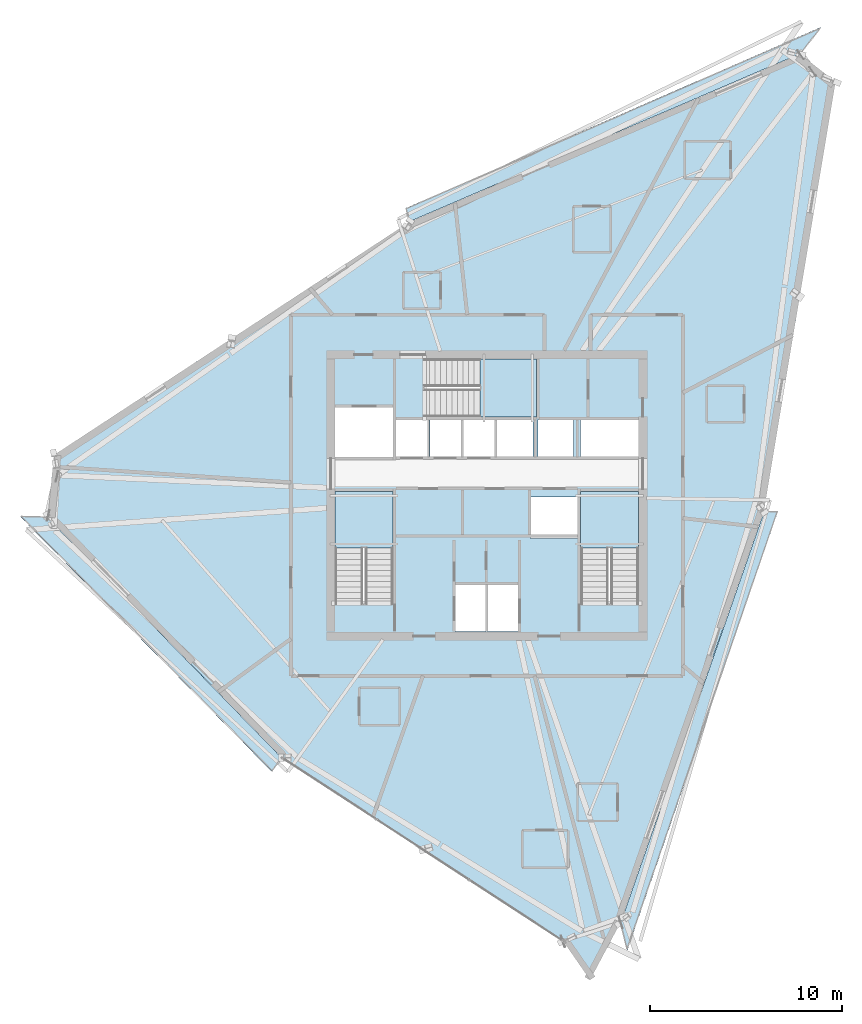
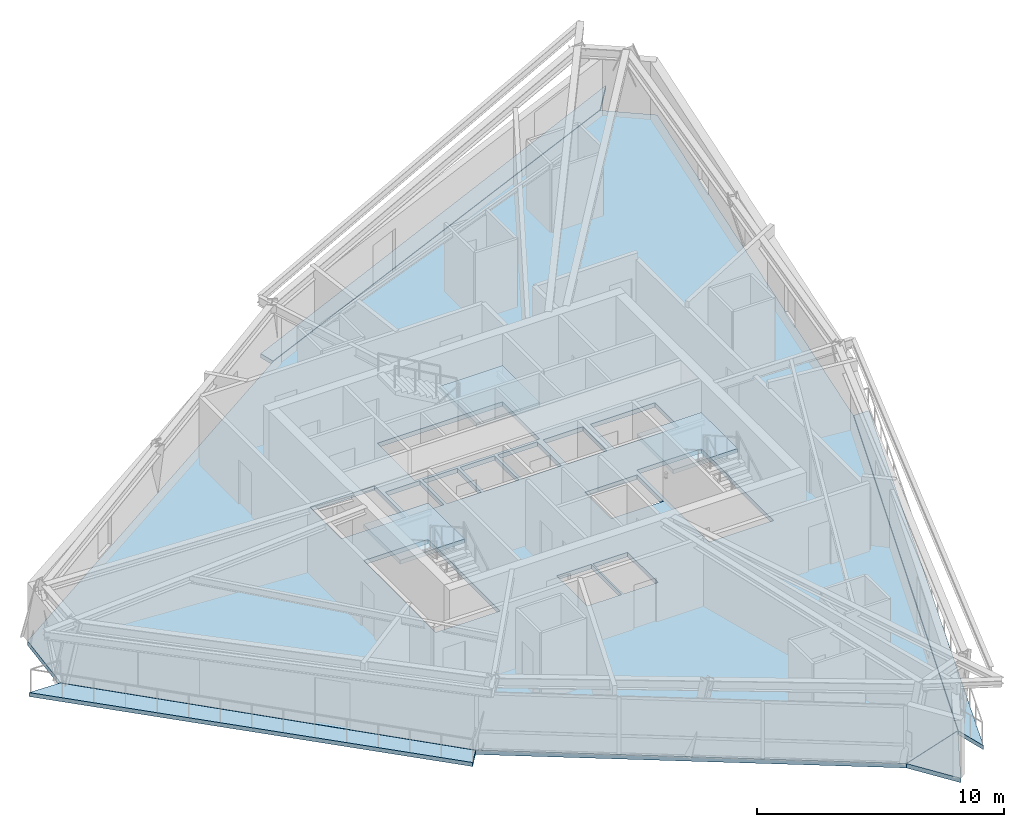
# One storey, part 5 of 14: 8 slabs, 3 elements without a shape of their own.
"""IFC4 building model written with IfcOpenShell, lengths in metres."""

from ifc_helpers import new_model, si_unit, direction, frame, origin, place, context, subcontext, project, spatial, polyline, outline, extrude, material, layer, layer_set, type_object, element, aggregate, save


model = new_model("IFC4")

# Units and contexts
model_context = context("Model", 3, precision=1e-05, world=origin(), true_north=direction((0.0, 1.0)))
body_context = subcontext(model_context, "Body", "Model", "MODEL_VIEW")
ifc_project = project(units=[si_unit("LENGTHUNIT", "METRE"), si_unit("AREAUNIT", "SQUARE_METRE"), si_unit("VOLUMEUNIT", "CUBIC_METRE"), si_unit("PLANEANGLEUNIT", "RADIAN"), si_unit("MASSUNIT", "GRAM", prefix="KILO")], contexts=[model_context])

# Site, building, storey
site_placement = place(None, origin())
site = spatial("IfcSite", under=ifc_project, at=site_placement, CompositionType="ELEMENT")
building_placement = place(site_placement, origin())
building = spatial("IfcBuilding", under=site, at=building_placement, Name="Olszyna Solenne Hotel", CompositionType="ELEMENT")
storey_placement = place(building_placement, frame((0.0, 0.0, 252.5)))
storey = spatial("IfcBuildingStorey", under=building, at=storey_placement, Name="L67", CompositionType="ELEMENT", Elevation=252.5)

# Stair, slab
ifc_material_1 = material(Name="Concrete C40/50", Category="concrete")
stair_type = type_object("IfcStairType", Name="STR-C1", PredefinedType="TWO_QUARTER_WINDING_STAIR", material=ifc_material_1)
stair_1_placement = place(storey_placement, origin())
stair_1 = element("IfcStair", 1, at=stair_1_placement, inside=storey, type_object=stair_type, Name="L67 ST1", PredefinedType="TWO_QUARTER_WINDING_STAIR")
ifc_layer_1 = layer(ifc_material_1, 0.18994140625, Name="Concrete C40/50")
ifc_layer_set_1 = layer_set([ifc_layer_1], Name="Concrete C40/50")
slab_type_1 = type_object("IfcSlabType", Name="SL-LN190", PredefinedType="LANDING", material=ifc_layer_set_1)
slab_1_placement = place(storey_placement, frame((0.0, 0.0, 1.60009765625)))
slab_1 = element("IfcSlab", 2, at=slab_1_placement, type_object=slab_type_1, Name="ST1 landing 1", PredefinedType="LANDING", context=body_context, shape_type="SweptSolid", body=[
    extrude(outline(polyline([(33.1201171875, 23.85009765625), (33.1201171875, 26.800048828125), (30.10009765625, 26.800048828125), (30.10009765625, 23.85009765625), (33.1201171875, 23.85009765625)])), origin(), (0.0, 0.0, 1.0), 0.199951171875),
])
aggregate(stair_1, [slab_1])

stair_2_placement = place(storey_placement, origin())
stair_2 = element("IfcStair", 3, at=stair_2_placement, inside=storey, type_object=stair_type, Name="L67 ST2", PredefinedType="TWO_QUARTER_WINDING_STAIR")
slab_2_placement = place(storey_placement, frame((0.0, 0.0, 1.60009765625)))
slab_2 = element("IfcSlab", 4, at=slab_2_placement, type_object=slab_type_1, Name="ST2 landing 1", PredefinedType="LANDING", context=body_context, shape_type="SweptSolid", body=[
    extrude(outline(polyline([(45.89990234375, 23.85009765625), (45.89990234375, 26.800048828125), (42.8798828125, 26.800048828125), (42.8798828125, 23.85009765625), (45.89990234375, 23.85009765625)])), origin(), (0.0, 0.0, 1.0), 0.199951171875),
])
aggregate(stair_2, [slab_2])

stair_3_placement = place(storey_placement, origin())
stair_3 = element("IfcStair", 5, at=stair_3_placement, inside=storey, type_object=stair_type, Name="L67 ST3", PredefinedType="TWO_QUARTER_WINDING_STAIR")
slab_3_placement = place(storey_placement, frame((0.0, 0.0, 1.60009765625)))
slab_3 = element("IfcSlab", 6, at=slab_3_placement, type_object=slab_type_1, Name="ST3 landing 1", PredefinedType="LANDING", context=body_context, shape_type="SweptSolid", body=[
    extrude(outline(polyline([(37.6298828125, 30.679931640625), (40.580078125, 30.679931640625), (40.580078125, 33.699951171875), (37.6298828125, 33.699951171875), (37.6298828125, 30.679931640625)])), origin(), (0.0, 0.0, 1.0), 0.199951171875),
])
aggregate(stair_3, [slab_3])

# Slabs
ifc_material_2 = material(Name="Precast concrete C45/55", Category="concrete")
ifc_layer_2 = layer(ifc_material_2, 0.199951171875, Name="Precast concrete C45/55")
ifc_layer_set_2 = layer_set([ifc_layer_2], Name="Precast concrete C45/55")
slab_type_2 = type_object("IfcSlabType", Name="SL-LOG200", PredefinedType="FLOOR", material=ifc_layer_set_2)
slab_4_placement = place(storey_placement, frame((0.0, 0.0, -0.199951171875)))
element("IfcSlab", 7, at=slab_4_placement, inside=storey, type_object=slab_type_2, Name="Exterior loggia balcony slab SL-L67-LG1", PredefinedType="FLOOR", context=body_context, shape_type="SweptSolid", body=[
    extrude(outline(polyline([(33.9697265625, 40.84228515625), (54.29345703125, 49.577880859375), (54.294921875, 49.57861328125), (54.29638671875, 49.578857421875), (54.297607421875, 49.5791015625), (54.299072265625, 49.5791015625), (54.300537109375, 49.5791015625), (54.302001953125, 49.5791015625), (54.303466796875, 49.57861328125), (54.304931640625, 49.578125), (54.30615234375, 49.57763671875), (54.3076171875, 49.576904296875), (54.30859375, 49.576171875), (55.390380859375, 50.9716796875), (33.79345703125, 41.552001953125), (33.9697265625, 40.84228515625)])), origin(), (0.0, 0.0, 1.0), 0.199951171875),
])
slab_5_placement = place(storey_placement, frame((0.0, 0.0, -0.199951171875)))
element("IfcSlab", 8, at=slab_5_placement, inside=storey, type_object=slab_type_2, Name="Exterior loggia balcony slab SL-L67-LG2", PredefinedType="FLOOR", context=body_context, shape_type="SweptSolid", body=[
    extrude(outline(polyline([(27.332275390625, 12.92822265625), (27.331787109375, 12.928466796875), (27.330810546875, 12.9296875), (15.143310546875, 25.451904296875), (15.14208984375, 25.452880859375), (15.141357421875, 25.4541015625), (15.140625, 25.455322265625), (15.139892578125, 25.456787109375), (15.139404296875, 25.4580078125), (15.13916015625, 25.45947265625), (15.138916015625, 25.4609375), (15.138916015625, 25.46240234375), (15.138916015625, 25.462890625), (13.70263671875, 25.50390625), (26.7958984375, 12.236083984375), (27.332275390625, 12.92822265625)])), origin(), (0.0, 0.0, 1.0), 0.199951171875),
])
slab_6_placement = place(storey_placement, frame((0.0, 0.0, -0.199951171875)))
element("IfcSlab", 9, at=slab_6_placement, inside=storey, type_object=slab_type_2, Name="Exterior loggia balcony slab SL-L67-LG3", PredefinedType="FLOOR", context=body_context, shape_type="SweptSolid", body=[
    extrude(outline(polyline([(52.4306640625, 25.763916015625), (52.430419921875, 25.761962890625), (52.429931640625, 25.7607421875), (52.4296875, 25.759521484375), (44.967041015625, 4.360107421875), (44.966796875, 4.35888671875), (44.96630859375, 4.35791015625), (44.958251953125, 4.34326171875), (45.31298828125, 2.916015625), (53.14111328125, 25.74365234375), (52.4306640625, 25.763916015625)])), origin(), (0.0, 0.0, 1.0), 0.199951171875),
])
ifc_material_3 = material(Name="Concrete C50/60", Category="concrete")
ifc_layer_3 = layer(ifc_material_3, 0.219970703125, Name="Concrete C50/60")
ifc_layer_set_3 = layer_set([ifc_layer_3], Name="Concrete C50/60")
slab_type_3 = type_object("IfcSlabType", Name="SL-TW225", PredefinedType="FLOOR", material=ifc_layer_set_3)
slab_7_placement = place(storey_placement, frame((0.0, 0.0, -0.219970703125)))
element("IfcSlab", 10, at=slab_7_placement, inside=storey, type_object=slab_type_3, Name="Floor slab SL-TW225 SL-L67-01", PredefinedType="FLOOR", context=body_context, shape_type="SweptSolid", body=[
    extrude(outline(polyline([(56.146484375, 48.118408203125), (54.29931640625, 49.564208984375), (33.973388671875, 40.827392578125), (15.470947265625, 28.69775390625), (15.15380859375, 25.46240234375), (27.34130859375, 12.940185546875), (41.976318359375, 3.39208984375), (44.952880859375, 4.364990234375), (52.41552734375, 25.764404296875), (56.146484375, 48.118408203125)]), holes=[polyline([(30.10009765625, 20.949951171875), (33.1201171875, 20.949951171875), (33.1201171875, 26.800048828125), (30.10009765625, 26.800048828125), (30.10009765625, 20.949951171875)]), polyline([(42.8798828125, 20.949951171875), (45.89990234375, 20.949951171875), (45.89990234375, 26.800048828125), (42.8798828125, 26.800048828125), (42.8798828125, 20.949951171875)]), polyline([(34.72998046875, 30.679931640625), (40.580078125, 30.679931640625), (40.580078125, 33.699951171875), (34.72998046875, 33.699951171875), (34.72998046875, 30.679931640625)]), polyline([(36.340087890625, 19.5), (37.9599609375, 19.5), (37.9599609375, 21.9599609375), (36.340087890625, 21.9599609375), (36.340087890625, 19.5)]), polyline([(38.0400390625, 19.5), (39.659912109375, 19.5), (39.659912109375, 21.9599609375), (38.0400390625, 21.9599609375), (38.0400390625, 19.5)]), polyline([(30.10009765625, 28.60009765625), (33.1201171875, 28.60009765625), (33.1201171875, 31.159912109375), (30.10009765625, 31.159912109375), (30.10009765625, 28.60009765625)]), polyline([(40.280029296875, 24.360107421875), (42.719970703125, 24.360107421875), (42.719970703125, 26.5), (40.280029296875, 26.5), (40.280029296875, 24.360107421875)]), polyline([(33.280029296875, 28.60009765625), (34.89990234375, 28.60009765625), (34.89990234375, 30.550048828125), (33.280029296875, 30.550048828125), (33.280029296875, 28.60009765625)]), polyline([(35.030029296875, 28.60009765625), (36.64990234375, 28.60009765625), (36.64990234375, 30.550048828125), (35.030029296875, 30.550048828125), (35.030029296875, 28.60009765625)]), polyline([(36.780029296875, 28.60009765625), (38.39990234375, 28.60009765625), (38.39990234375, 30.550048828125), (36.780029296875, 30.550048828125), (36.780029296875, 28.60009765625)]), polyline([(38.530029296875, 28.60009765625), (40.389892578125, 28.60009765625), (40.389892578125, 30.550048828125), (38.530029296875, 30.550048828125), (38.530029296875, 28.60009765625)]), polyline([(40.659912109375, 28.60009765625), (42.52001953125, 28.60009765625), (42.52001953125, 30.550048828125), (40.659912109375, 30.550048828125), (40.659912109375, 28.60009765625)]), polyline([(42.8798828125, 28.60009765625), (45.89990234375, 28.60009765625), (45.89990234375, 30.550048828125), (42.8798828125, 30.550048828125), (42.8798828125, 28.60009765625)])]), origin(), (0.0, 0.0, 1.0), 0.219970703125),
])
slab_8_placement = place(storey_placement, frame((0.0, 0.0, -0.219970703125)))
element("IfcSlab", 11, at=slab_8_placement, inside=storey, type_object=slab_type_3, Name="Faceted glass-prism floor slab SL-L67-PR", PredefinedType="FLOOR", context=body_context, shape_type="SweptSolid", body=[
    extrude(outline(polyline([(44.9462890625, 4.352294921875), (41.982177734375, 3.383544921875), (43.37158203125, 1.375732421875), (44.9462890625, 4.352294921875)])), origin(), (0.0, 0.0, 1.0), 0.219970703125),
])

save(model, "model.ifc")
